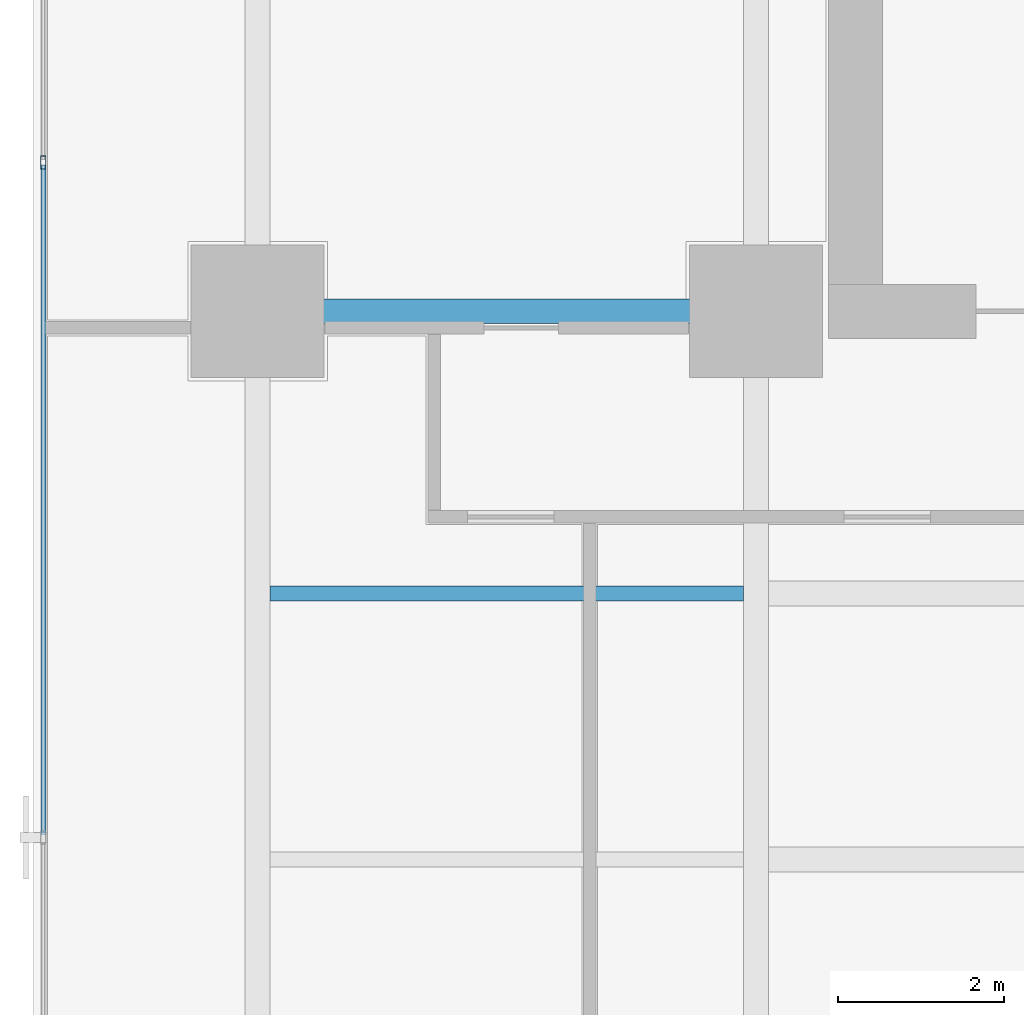
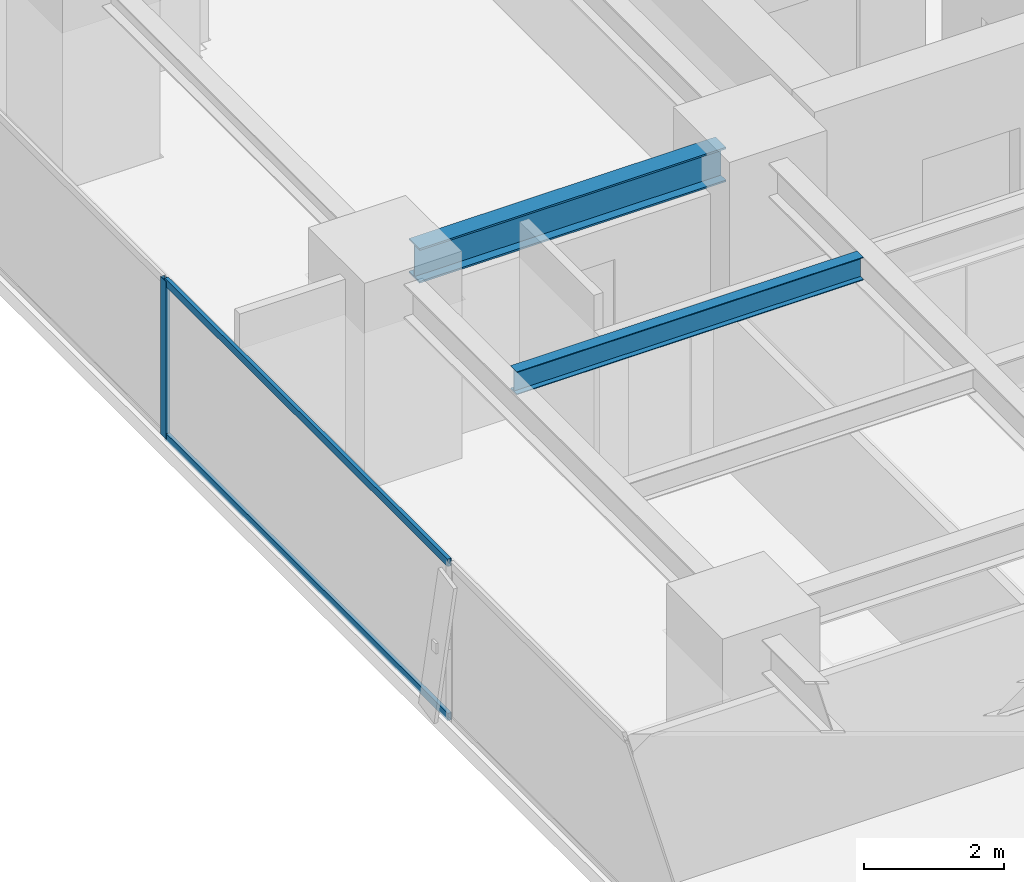
# One storey, part 17 of 37: 3 members, 2 beams, 1 element without a shape of its own.
"""IFC4 building model written with IfcOpenShell, lengths in metres."""

from ifc_helpers import new_model, si_unit, direction, frame, origin, origin_2d, place, context, subcontext, project, spatial, hollow_rectangle, i_section, extrude, source, transform, mapped, material, layer, layer_set, material_profile, profile_set, type_object, element, aggregate, save


model = new_model("IFC4")

# Units and contexts
model_context = context("Model", 3, precision=1e-05, world=origin(), true_north=direction((0.0, 1.0)))
body_context = subcontext(model_context, "Body", "Model", "MODEL_VIEW")
ifc_project = project(units=[si_unit("LENGTHUNIT", "METRE"), si_unit("AREAUNIT", "SQUARE_METRE"), si_unit("VOLUMEUNIT", "CUBIC_METRE"), si_unit("PLANEANGLEUNIT", "RADIAN"), si_unit("MASSUNIT", "GRAM", prefix="KILO")], contexts=[model_context])

# Site, building, storey
site_placement = place(None, origin())
site = spatial("IfcSite", under=ifc_project, at=site_placement, CompositionType="ELEMENT")
building_placement = place(site_placement, origin())
building = spatial("IfcBuilding", under=site, at=building_placement, Name="Sumidabori Civic Tower", CompositionType="ELEMENT")
storey_placement = place(building_placement, frame((0.0, 0.0, 95.60009765625)))
storey = spatial("IfcBuildingStorey", under=building, at=storey_placement, Name="L24", CompositionType="ELEMENT", Elevation=95.60009765625)

# Beams
ifc_material_1 = material(Name="Steel SN490", Category="steel")
ifc_material_profile_1 = material_profile(ifc_material_1, i_section(OverallWidth=0.300048828125, OverallDepth=0.60009765625, WebThickness=0.015380859375, FlangeThickness=0.030029296875, at=origin_2d()), Name="HE 600 B")
ifc_profile_set_1 = profile_set([ifc_material_profile_1], Name="Steel SN490")
beam_type_1 = type_object("IfcBeamType", Name="BM-GIRD-600", PredefinedType="BEAM", material=ifc_profile_set_1)
shared_shape_1 = source(origin(), body_context, "Body", "SweptSolid", [
    extrude(i_section(OverallWidth=0.300048828125, OverallDepth=0.60009765625, WebThickness=0.015380859375, FlangeThickness=0.030029296875, at=origin_2d()), origin(), (0.0, 0.0, 1.0), 5.0400390625),
])
beam_1_placement = place(storey_placement, frame((-22.320068359375, 10.199951171875, 3.059814453125), z_axis=(1.0, 0.0, 0.0), x_axis=(0.0, 1.0, 0.0)))
element("IfcBeam", 1, at=beam_1_placement, inside=storey, type_object=beam_type_1, Name="Primary Girder L24 GX-19", PredefinedType="BEAM", context=body_context, shape_type="MappedRepresentation", body=[
    mapped(shared_shape_1, transform((0.0, 0.0, 0.0), x_axis=(1.0, 0.0, 0.0), y_axis=(0.0, 1.0, 0.0), z_axis=(0.0, 0.0, 1.0), scale=1.0)),
])
ifc_material_profile_2 = material_profile(ifc_material_1, i_section(OverallWidth=0.179931640625, OverallDepth=0.39990234375, WebThickness=0.008544921875, FlangeThickness=0.013427734375, at=origin_2d()), Name="IPE 400")
ifc_profile_set_2 = profile_set([ifc_material_profile_2], Name="Steel SN490")
beam_type_2 = type_object("IfcBeamType", Name="BM-JST-400", PredefinedType="JOIST", material=ifc_profile_set_2)
shared_shape_2 = source(origin(), body_context, "Body", "SweptSolid", [
    extrude(i_section(OverallWidth=0.179931640625, OverallDepth=0.39990234375, WebThickness=0.008544921875, FlangeThickness=0.013427734375, at=origin_2d()), origin(), (0.0, 0.0, 1.0), 5.699951171875),
])
beam_2_placement = place(storey_placement, frame((-22.64990234375, 6.800048828125, 3.159912109375), z_axis=(1.0, 0.0, 0.0), x_axis=(0.0, 1.0, 0.0)))
element("IfcBeam", 2, at=beam_2_placement, inside=storey, type_object=beam_type_2, Name="Outer Bay Floor Joist L24 JSTO-49", PredefinedType="JOIST", context=body_context, shape_type="MappedRepresentation", body=[
    mapped(shared_shape_2, transform((0.0, 0.0, 0.0), x_axis=(1.0, 0.0, 0.0), y_axis=(0.0, 1.0, 0.0), z_axis=(0.0, 0.0, 1.0), scale=1.0)),
])

# Curtain wall, members
ifc_material_2 = material(Name="Anodised Bronze Aluminium AW-6063-T6", Category="aluminium")
ifc_layer = layer(ifc_material_2, 0.179931640625, Name="Anodised Bronze Aluminium AW-6063-T6")
ifc_layer_set = layer_set([ifc_layer], Name="Anodised Bronze Aluminium AW-6063-T6")
curtain_wall_type = type_object("IfcCurtainWallType", Name="CW-SYS-3", PredefinedType="NOTDEFINED", material=ifc_layer_set)
curtain_wall_placement = place(storey_placement, origin())
curtain_wall = element("IfcCurtainWall", 3, at=curtain_wall_placement, inside=storey, type_object=curtain_wall_type, Name="Curtain Wall CW:L24:R10", PredefinedType="NOTDEFINED")
ifc_material_profile_3 = material_profile(ifc_material_2, hollow_rectangle(XDim=0.06494140625, YDim=0.159912109375, WallThickness=0.0048828125, at=origin_2d()), Name="ALU MULLION 160x65")
ifc_profile_set_3 = profile_set([ifc_material_profile_3], Name="Anodised Bronze Aluminium AW-6063-T6")
member_type_1 = type_object("IfcMemberType", Name="CW-MUL-160", PredefinedType="MULLION", material=ifc_profile_set_3)
shared_shape_3 = source(origin(), body_context, "Body", "SweptSolid", [
    extrude(hollow_rectangle(XDim=0.06494140625, YDim=0.159912109375, WallThickness=0.0048828125, at=origin_2d()), origin(), (0.0, 0.0, 1.0), 2.739990234375),
])
member_1_placement = place(storey_placement, frame((-25.3798828125, 11.991943359375, 0.0), z_axis=(0.0, 0.0, 1.0), x_axis=(1.0, 0.0, 0.0)))
member_1 = element("IfcMember", 4, at=member_1_placement, type_object=member_type_1, Name="CW-3 mullion 2", PredefinedType="MULLION", context=body_context, shape_type="MappedRepresentation", body=[
    mapped(shared_shape_3, transform((0.0, 0.0, 0.0), x_axis=(1.0, 0.0, 0.0), y_axis=(0.0, 1.0, 0.0), z_axis=(0.0, 0.0, 1.0), scale=1.0)),
])
ifc_material_profile_4 = material_profile(ifc_material_2, hollow_rectangle(XDim=0.06005859375, YDim=0.1298828125, WallThickness=0.0048828125, at=origin_2d()), Name="ALU TRANSOM 130x60")
ifc_profile_set_4 = profile_set([ifc_material_profile_4], Name="Anodised Bronze Aluminium AW-6063-T6")
member_type_2 = type_object("IfcMemberType", Name="CW-TRN-130", PredefinedType="USERDEFINED", material=ifc_profile_set_4)
shared_shape_4 = source(origin(), body_context, "Body", "SweptSolid", [
    extrude(hollow_rectangle(XDim=0.06005859375, YDim=0.1298828125, WallThickness=0.0048828125, at=origin_2d()), origin(), (0.0, 0.0, 1.0), 8.06298828125),
])
member_2_placement = place(storey_placement, frame((-25.3798828125, 11.95947265625, 0.02978515625), z_axis=(0.0, -1.0, 0.0), x_axis=(1.0, 0.0, 0.0)))
member_2 = element("IfcMember", 5, at=member_2_placement, type_object=member_type_2, Name="CW-3 transom 2.1", ObjectType="TRANSOM", PredefinedType="USERDEFINED", context=body_context, shape_type="MappedRepresentation", body=[
    mapped(shared_shape_4, transform((0.0, 0.0, 0.0), x_axis=(1.0, 0.0, 0.0), y_axis=(0.0, 1.0, 0.0), z_axis=(0.0, 0.0, 1.0), scale=1.0)),
])
member_3_placement = place(storey_placement, frame((-25.3798828125, 11.95947265625, 2.7099609375), z_axis=(0.0, -1.0, 0.0), x_axis=(1.0, 0.0, 0.0)))
member_3 = element("IfcMember", 6, at=member_3_placement, type_object=member_type_2, Name="CW-3 transom 2.2", ObjectType="TRANSOM", PredefinedType="USERDEFINED", context=body_context, shape_type="MappedRepresentation", body=[
    mapped(shared_shape_4, transform((0.0, 0.0, 0.0), x_axis=(1.0, 0.0, 0.0), y_axis=(0.0, 1.0, 0.0), z_axis=(0.0, 0.0, 1.0), scale=1.0)),
])
aggregate(curtain_wall, [member_1, member_2, member_3])

save(model, "model.ifc")
